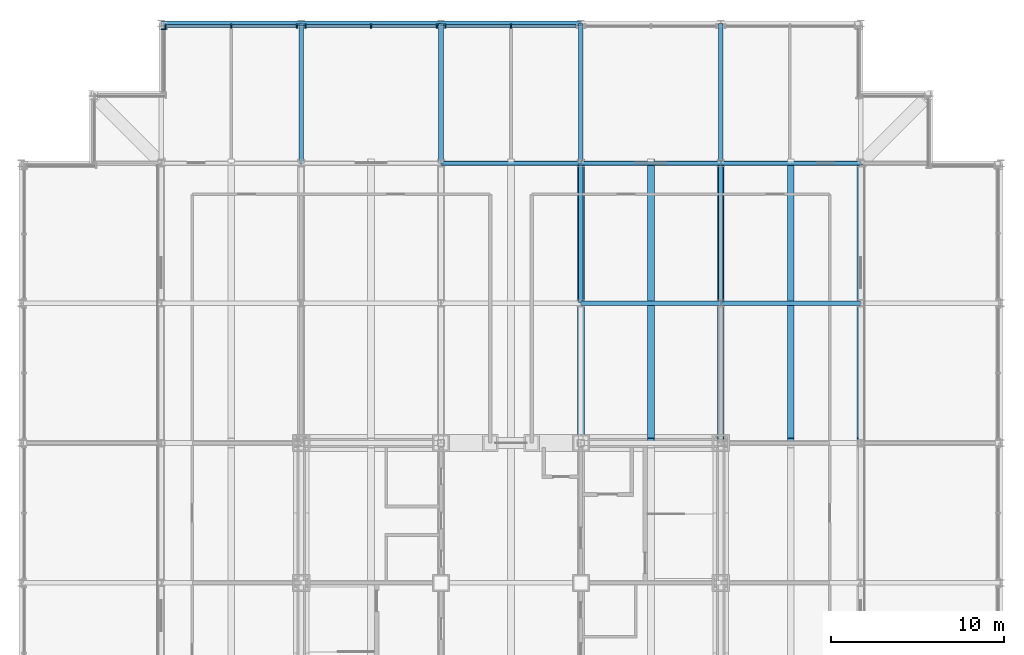
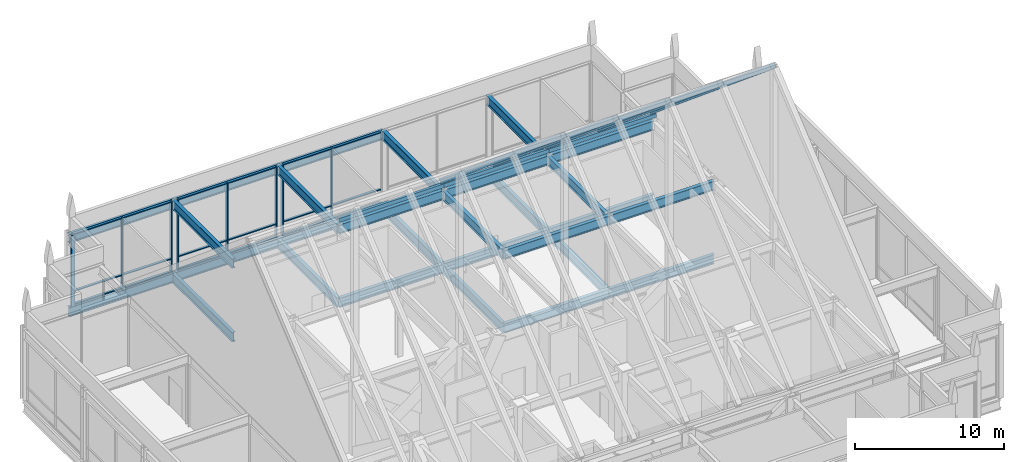
# One storey, part 11 of 22: 36 beams, 27 members, 4 elements without a shape of their own.
"""IFC4 building model written with IfcOpenShell, lengths in metres."""

from ifc_helpers import new_model, si_unit, direction, frame, origin, origin_2d, place, context, subcontext, project, spatial, rectangle, hollow_rectangle, i_section, extrude, material, material_profile, profile_set, type_object, element, aggregate, save


model = new_model("IFC4")

# Units and contexts
model_context = context("Model", 3, precision=1e-05, world=origin(), true_north=direction((0.0, 1.0)))
body_context = subcontext(model_context, "Body", "Model", "MODEL_VIEW")
ifc_project = project(units=[si_unit("LENGTHUNIT", "METRE"), si_unit("AREAUNIT", "SQUARE_METRE"), si_unit("VOLUMEUNIT", "CUBIC_METRE"), si_unit("PLANEANGLEUNIT", "RADIAN"), si_unit("MASSUNIT", "GRAM", prefix="KILO")], contexts=[model_context])

# Site, building, storey
site_placement = place(None, origin())
site = spatial("IfcSite", under=ifc_project, at=site_placement, CompositionType="ELEMENT")
building_placement = place(site_placement, origin())
building = spatial("IfcBuilding", under=site, at=building_placement, Name="Kopane Lantern Tower", CompositionType="ELEMENT")
storey_placement = place(building_placement, frame((0.0, 0.0, 303.89990234375)))
storey = spatial("IfcBuildingStorey", under=building, at=storey_placement, Name="L77", CompositionType="ELEMENT", Elevation=303.89990234375)

# Beams
ifc_material_1 = material(Name="Steel S355JR", Category="steel")
ifc_material_profile_1 = material_profile(ifc_material_1, i_section(OverallWidth=0.2666015625, OverallDepth=0.76220703125, WebThickness=0.014404296875, FlangeThickness=0.021484375, FilletRadius=0.0166015625, at=origin_2d()), Name="UB 762x267x173")
ifc_profile_set_1 = profile_set([ifc_material_profile_1], Name="Steel S355JR")
beam_type_1 = type_object("IfcBeamType", Name="GIRDER UB 762x267x173", PredefinedType="BEAM", material=ifc_profile_set_1)
beam_1_placement = place(storey_placement, frame((8.10009765625, 64.800048828125, -0.591064453125), z_axis=(1.0, 0.0, 0.0), x_axis=(0.0, 1.0, 0.0)))
element("IfcBeam", 1, at=beam_1_placement, inside=storey, type_object=beam_type_1, Name="Girder L77", PredefinedType="BEAM", context=body_context, shape_type="SweptSolid", body=[
    extrude(i_section(OverallWidth=0.2666015625, OverallDepth=0.76220703125, WebThickness=0.014404296875, FlangeThickness=0.021484375, FilletRadius=0.0166015625, at=origin_2d()), origin(), (0.0, 0.0, 1.0), 8.099853515625),
])
for number, where, z_axis, x_axis, name in (
    (2, (16.199951171875, 56.699951171875, -0.591064453125), (0.0, 1.0, 0.0), (-1.0, 0.0, 0.0), "Girder L77"),
    (3, (16.199951171875, 64.800048828125, -0.591064453125), (1.0, 0.0, 0.0), (0.0, 1.0, 0.0), "Girder L77"),
    (4, (24.300048828125, 56.699951171875, -0.591064453125), (0.0, 1.0, 0.0), (-1.0, 0.0, 0.0), "Girder L77"),
):
    element("IfcBeam", number, at=place(storey_placement, frame(where, z_axis=z_axis, x_axis=x_axis)), inside=storey, type_object=beam_type_1, Name=name, PredefinedType="BEAM", context=body_context, shape_type="SweptSolid", body=[
        extrude(i_section(OverallWidth=0.2666015625, OverallDepth=0.76220703125, WebThickness=0.014404296875, FlangeThickness=0.021484375, FilletRadius=0.0166015625, at=origin_2d()), origin(), (0.0, 0.0, 1.0), 8.10009765625),
    ])
for number, where, z_axis, x_axis, name in (
    (5, (24.300048828125, 56.699951171875, -0.591064453125), (1.0, 0.0, 0.0), (0.0, 1.0, 0.0), "Girder L77"),
    (6, (24.300048828125, 64.800048828125, -0.591064453125), (1.0, 0.0, 0.0), (0.0, 1.0, 0.0), "Girder L77"),
    (7, (32.39990234375, 48.60009765625, -0.591064453125), (0.0, 1.0, 0.0), (-1.0, 0.0, 0.0), "Girder L77"),
):
    element("IfcBeam", number, at=place(storey_placement, frame(where, z_axis=z_axis, x_axis=x_axis)), inside=storey, type_object=beam_type_1, Name=name, PredefinedType="BEAM", context=body_context, shape_type="SweptSolid", body=[
        extrude(i_section(OverallWidth=0.2666015625, OverallDepth=0.76220703125, WebThickness=0.014404296875, FlangeThickness=0.021484375, FilletRadius=0.0166015625, at=origin_2d()), origin(), (0.0, 0.0, 1.0), 8.099853515625),
    ])
for number, where, z_axis, x_axis, name in (
    (8, (32.39990234375, 48.60009765625, -0.591064453125), (1.0, 0.0, 0.0), (0.0, 1.0, 0.0), "Girder L77"),
    (9, (32.39990234375, 56.699951171875, -0.591064453125), (0.0, 1.0, 0.0), (-1.0, 0.0, 0.0), "Girder L77"),
    (10, (32.39990234375, 56.699951171875, -0.591064453125), (1.0, 0.0, 0.0), (0.0, 1.0, 0.0), "Girder L77"),
):
    element("IfcBeam", number, at=place(storey_placement, frame(where, z_axis=z_axis, x_axis=x_axis)), inside=storey, type_object=beam_type_1, Name=name, PredefinedType="BEAM", context=body_context, shape_type="SweptSolid", body=[
        extrude(i_section(OverallWidth=0.2666015625, OverallDepth=0.76220703125, WebThickness=0.014404296875, FlangeThickness=0.021484375, FilletRadius=0.0166015625, at=origin_2d()), origin(), (0.0, 0.0, 1.0), 8.10009765625),
    ])
beam_2_placement = place(storey_placement, frame((40.5, 48.60009765625, -0.591064453125), z_axis=(0.0, 1.0, 0.0), x_axis=(-1.0, 0.0, 0.0)))
element("IfcBeam", 11, at=beam_2_placement, inside=storey, type_object=beam_type_1, Name="Girder L77", PredefinedType="BEAM", context=body_context, shape_type="SweptSolid", body=[
    extrude(i_section(OverallWidth=0.2666015625, OverallDepth=0.76220703125, WebThickness=0.014404296875, FlangeThickness=0.021484375, FilletRadius=0.0166015625, at=origin_2d()), origin(), (0.0, 0.0, 1.0), 8.099853515625),
])
for number, where, z_axis, x_axis, name in (
    (12, (40.5, 48.60009765625, -0.591064453125), (1.0, 0.0, 0.0), (0.0, 1.0, 0.0), "Girder L77"),
    (13, (40.5, 56.699951171875, -0.591064453125), (0.0, 1.0, 0.0), (-1.0, 0.0, 0.0), "Girder L77"),
    (14, (40.5, 56.699951171875, -0.591064453125), (1.0, 0.0, 0.0), (0.0, 1.0, 0.0), "Girder L77"),
):
    element("IfcBeam", number, at=place(storey_placement, frame(where, z_axis=z_axis, x_axis=x_axis)), inside=storey, type_object=beam_type_1, Name=name, PredefinedType="BEAM", context=body_context, shape_type="SweptSolid", body=[
        extrude(i_section(OverallWidth=0.2666015625, OverallDepth=0.76220703125, WebThickness=0.014404296875, FlangeThickness=0.021484375, FilletRadius=0.0166015625, at=origin_2d()), origin(), (0.0, 0.0, 1.0), 8.10009765625),
    ])
ifc_material_2 = material(Name="Steel S355JR", Category="steel")
ifc_material_profile_2 = material_profile(ifc_material_2, hollow_rectangle(XDim=0.39990234375, YDim=0.39990234375, WallThickness=0.01611328125, at=origin_2d()), Name="RHS 400x400x16")
ifc_profile_set_2 = profile_set([ifc_material_profile_2], Name="Steel S355JR")
beam_type_2 = type_object("IfcBeamType", Name="LANTERN RAFTER SHS 400x400x16", PredefinedType="USERDEFINED", material=ifc_profile_set_2)
for number, where, z_axis, x_axis, name in (
    (15, (32.39990234375, 56.827880859375, 6.45361328125), (0.0, -0.768220329338, 0.640185539974), (1.0, 0.0, 0.0), "Lantern rafter N"),
    (16, (36.449951171875, 56.827880859375, 6.45361328125), (0.0, -0.768220329338, 0.640185539974), (1.0, 0.0, 0.0), "Lantern rafter N"),
    (17, (40.5, 56.827880859375, 6.45361328125), (0.0, -0.768220329338, 0.640185539974), (1.0, 0.0, 0.0), "Lantern rafter N"),
    (18, (44.550048828125, 56.827880859375, 6.45361328125), (0.0, -0.768220329338, 0.640185539974), (1.0, 0.0, 0.0), "Lantern rafter N"),
    (19, (48.60009765625, 56.827880859375, 6.45361328125), (0.0, -0.768220329338, 0.640185539974), (1.0, 0.0, 0.0), "Lantern rafter N"),
):
    element("IfcBeam", number, at=place(storey_placement, frame(where, z_axis=z_axis, x_axis=x_axis)), inside=storey, type_object=beam_type_2, Name=name, ObjectType="RAFTER", PredefinedType="USERDEFINED", context=body_context, shape_type="SweptSolid", body=[
        extrude(hollow_rectangle(XDim=0.39990234375, YDim=0.39990234375, WallThickness=0.01611328125, at=origin_2d()), origin(), (0.0, 0.0, 1.0), 21.05908203125),
    ])
ifc_material_3 = material(Name="Steel S355JR", Category="steel")
ifc_material_profile_3 = material_profile(ifc_material_3, hollow_rectangle(XDim=0.199951171875, YDim=0.300048828125, WallThickness=0.010009765625, at=origin_2d()), Name="RHS 300x200x10")
ifc_profile_set_3 = profile_set([ifc_material_profile_3], Name="Steel S355JR")
beam_type_3 = type_object("IfcBeamType", Name="LANTERN SILL BEAM RHS 300x200x10", PredefinedType="BEAM", material=ifc_profile_set_3)
beam_3_placement = place(storey_placement, frame((24.300048828125, 56.699951171875, 6.150146484375), z_axis=(1.0, 0.0, 0.0), x_axis=(0.0, 1.0, 0.0)))
element("IfcBeam", 20, at=beam_3_placement, inside=storey, type_object=beam_type_3, Name="Lantern sill beam N", PredefinedType="BEAM", context=body_context, shape_type="SweptSolid", body=[
    extrude(hollow_rectangle(XDim=0.199951171875, YDim=0.300048828125, WallThickness=0.010009765625, at=origin_2d()), origin(), (0.0, 0.0, 1.0), 8.099853515625),
])
beam_4_placement = place(storey_placement, frame((32.39990234375, 56.699951171875, 6.150146484375), z_axis=(1.0, 0.0, 0.0), x_axis=(0.0, 1.0, 0.0)))
element("IfcBeam", 21, at=beam_4_placement, inside=storey, type_object=beam_type_3, Name="Lantern sill beam N", PredefinedType="BEAM", context=body_context, shape_type="SweptSolid", body=[
    extrude(hollow_rectangle(XDim=0.199951171875, YDim=0.300048828125, WallThickness=0.010009765625, at=origin_2d()), origin(), (0.0, 0.0, 1.0), 8.10009765625),
])
beam_5_placement = place(storey_placement, frame((40.5, 56.699951171875, 6.150146484375), z_axis=(1.0, 0.0, 0.0), x_axis=(0.0, 1.0, 0.0)))
element("IfcBeam", 22, at=beam_5_placement, inside=storey, type_object=beam_type_3, Name="Lantern sill beam N", PredefinedType="BEAM", context=body_context, shape_type="SweptSolid", body=[
    extrude(hollow_rectangle(XDim=0.199951171875, YDim=0.300048828125, WallThickness=0.010009765625, at=origin_2d()), origin(), (0.0, 0.0, 1.0), 8.300048828125),
])

# Curtain wall, members
ifc_material_4 = material(Name="Aluminium and clear glass", Category="aluminium")
curtain_wall_type = type_object("IfcCurtainWallType", Name="CURTAIN WALL CW6 LANTERN CROWN", PredefinedType="USERDEFINED", material=ifc_material_4)
curtain_wall_1_placement = place(storey_placement, origin())
curtain_wall_1 = element("IfcCurtainWall", 23, at=curtain_wall_1_placement, inside=storey, type_object=curtain_wall_type, Name="Curtain wall CW6 N L77", ObjectType="CURTAIN WALL", PredefinedType="USERDEFINED")
ifc_material_5 = material(Name="Aluminium", Category="aluminium")
ifc_material_profile_4 = material_profile(ifc_material_5, rectangle(XDim=0.080078125, YDim=0.280029296875, at=origin_2d()), Name="AL 80x280")
ifc_profile_set_4 = profile_set([ifc_material_profile_4], Name="Aluminium")
member_type_1 = type_object("IfcMemberType", Name="MULLION CW6-M 80x280", PredefinedType="MULLION", material=ifc_profile_set_4)
member_1_placement = place(storey_placement, frame((28.35009765625, 64.64990234375, 0.0), z_axis=(0.0, 0.0, 1.0), x_axis=(-1.0, 0.0, 0.0)))
member_1 = element("IfcMember", 24, at=member_1_placement, type_object=member_type_1, Name="CW6 mullion 2", PredefinedType="MULLION", context=body_context, shape_type="SweptSolid", body=[
    extrude(rectangle(XDim=0.080078125, YDim=0.280029296875, at=origin_2d()), origin(), (0.0, 0.0, 1.0), 5.800048828125),
])
member_2_placement = place(storey_placement, frame((24.54443359375, 64.64990234375, 0.0), z_axis=(0.0, 0.0, 1.0), x_axis=(-1.0, 0.0, 0.0)))
member_2 = element("IfcMember", 25, at=member_2_placement, type_object=member_type_1, Name="CW6 mullion 3", PredefinedType="MULLION", context=body_context, shape_type="SweptSolid", body=[
    extrude(rectangle(XDim=0.080078125, YDim=0.280029296875, at=origin_2d()), origin(), (0.0, 0.0, 1.0), 5.800048828125),
])

curtain_wall_2_placement = place(storey_placement, origin())
curtain_wall_2 = element("IfcCurtainWall", 26, at=curtain_wall_2_placement, inside=storey, type_object=curtain_wall_type, Name="Curtain wall CW6 N L77", ObjectType="CURTAIN WALL", PredefinedType="USERDEFINED")
member_3_placement = place(storey_placement, frame((24.055419921875, 64.64990234375, 0.0), z_axis=(0.0, 0.0, 1.0), x_axis=(-1.0, 0.0, 0.0)))
member_3 = element("IfcMember", 27, at=member_3_placement, type_object=member_type_1, Name="CW6 mullion 1", PredefinedType="MULLION", context=body_context, shape_type="SweptSolid", body=[
    extrude(rectangle(XDim=0.080078125, YDim=0.280029296875, at=origin_2d()), origin(), (0.0, 0.0, 1.0), 5.800048828125),
])
member_4_placement = place(storey_placement, frame((20.25, 64.64990234375, 0.0), z_axis=(0.0, 0.0, 1.0), x_axis=(-1.0, 0.0, 0.0)))
member_4 = element("IfcMember", 28, at=member_4_placement, type_object=member_type_1, Name="CW6 mullion 2", PredefinedType="MULLION", context=body_context, shape_type="SweptSolid", body=[
    extrude(rectangle(XDim=0.080078125, YDim=0.280029296875, at=origin_2d()), origin(), (0.0, 0.0, 1.0), 5.800048828125),
])
member_5_placement = place(storey_placement, frame((16.444580078125, 64.64990234375, 0.0), z_axis=(0.0, 0.0, 1.0), x_axis=(-1.0, 0.0, 0.0)))
member_5 = element("IfcMember", 29, at=member_5_placement, type_object=member_type_1, Name="CW6 mullion 3", PredefinedType="MULLION", context=body_context, shape_type="SweptSolid", body=[
    extrude(rectangle(XDim=0.080078125, YDim=0.280029296875, at=origin_2d()), origin(), (0.0, 0.0, 1.0), 5.800048828125),
])

curtain_wall_3_placement = place(storey_placement, origin())
curtain_wall_3 = element("IfcCurtainWall", 30, at=curtain_wall_3_placement, inside=storey, type_object=curtain_wall_type, Name="Curtain wall CW6 N L77", ObjectType="CURTAIN WALL", PredefinedType="USERDEFINED")
member_6_placement = place(storey_placement, frame((15.95556640625, 64.64990234375, 0.0), z_axis=(0.0, 0.0, 1.0), x_axis=(-1.0, 0.0, 0.0)))
member_6 = element("IfcMember", 31, at=member_6_placement, type_object=member_type_1, Name="CW6 mullion 1", PredefinedType="MULLION", context=body_context, shape_type="SweptSolid", body=[
    extrude(rectangle(XDim=0.080078125, YDim=0.280029296875, at=origin_2d()), origin(), (0.0, 0.0, 1.0), 5.800048828125),
])
member_7_placement = place(storey_placement, frame((12.14990234375, 64.64990234375, 0.0), z_axis=(0.0, 0.0, 1.0), x_axis=(-1.0, 0.0, 0.0)))
member_7 = element("IfcMember", 32, at=member_7_placement, type_object=member_type_1, Name="CW6 mullion 2", PredefinedType="MULLION", context=body_context, shape_type="SweptSolid", body=[
    extrude(rectangle(XDim=0.080078125, YDim=0.280029296875, at=origin_2d()), origin(), (0.0, 0.0, 1.0), 5.800048828125),
])
member_8_placement = place(storey_placement, frame((8.344482421875, 64.64990234375, 0.0), z_axis=(0.0, 0.0, 1.0), x_axis=(-1.0, 0.0, 0.0)))
member_8 = element("IfcMember", 33, at=member_8_placement, type_object=member_type_1, Name="CW6 mullion 3", PredefinedType="MULLION", context=body_context, shape_type="SweptSolid", body=[
    extrude(rectangle(XDim=0.080078125, YDim=0.280029296875, at=origin_2d()), origin(), (0.0, 0.0, 1.0), 5.800048828125),
])

# Curtain wall, member
curtain_wall_4_placement = place(storey_placement, origin())
curtain_wall_4 = element("IfcCurtainWall", 34, at=curtain_wall_4_placement, inside=storey, type_object=curtain_wall_type, Name="Curtain wall CW6 W L77", ObjectType="CURTAIN WALL", PredefinedType="USERDEFINED")
member_9_placement = place(storey_placement, frame((8.25, 64.4599609375, 0.0), z_axis=(0.0, 0.0, 1.0), x_axis=(0.0, -1.0, 0.0)))
member_9 = element("IfcMember", 35, at=member_9_placement, type_object=member_type_1, Name="CW6 mullion 1", PredefinedType="MULLION", context=body_context, shape_type="SweptSolid", body=[
    extrude(rectangle(XDim=0.080078125, YDim=0.280029296875, at=origin_2d()), origin(), (0.0, 0.0, 1.0), 5.800048828125),
])
aggregate(curtain_wall_4, [member_9])

# Beams
ifc_material_6 = material(Name="Steel S355JR", Category="steel")
ifc_material_profile_5 = material_profile(ifc_material_6, i_section(OverallWidth=0.2666015625, OverallDepth=0.76220703125, WebThickness=0.014404296875, FlangeThickness=0.021484375, FilletRadius=0.0166015625, at=origin_2d()), Name="UB 762x267x173")
ifc_profile_set_5 = profile_set([ifc_material_profile_5], Name="Steel S355JR")
beam_type_4 = type_object("IfcBeamType", Name="ROOF GIRDER UB 762x267x173", PredefinedType="BEAM", material=ifc_profile_set_5)
for number, where, z_axis, x_axis, name in (
    (36, (16.199951171875, 56.699951171875, 5.4189453125), (0.0, 1.0, 0.0), (-1.0, 0.0, 0.0), "Roof Girder roof"),
    (37, (24.300048828125, 56.699951171875, 5.4189453125), (0.0, 1.0, 0.0), (-1.0, 0.0, 0.0), "Roof Girder roof"),
):
    element("IfcBeam", number, at=place(storey_placement, frame(where, z_axis=z_axis, x_axis=x_axis)), inside=storey, type_object=beam_type_4, Name=name, PredefinedType="BEAM", context=body_context, shape_type="SweptSolid", body=[
        extrude(i_section(OverallWidth=0.2666015625, OverallDepth=0.76220703125, WebThickness=0.014404296875, FlangeThickness=0.021484375, FilletRadius=0.0166015625, at=origin_2d()), origin(), (0.0, 0.0, 1.0), 8.10009765625),
    ])
beam_6_placement = place(storey_placement, frame((32.39990234375, 48.60009765625, 5.4189453125), z_axis=(0.0, 1.0, 0.0), x_axis=(-1.0, 0.0, 0.0)))
element("IfcBeam", 38, at=beam_6_placement, inside=storey, type_object=beam_type_4, Name="Roof Girder roof", PredefinedType="BEAM", context=body_context, shape_type="SweptSolid", body=[
    extrude(i_section(OverallWidth=0.2666015625, OverallDepth=0.76220703125, WebThickness=0.014404296875, FlangeThickness=0.021484375, FilletRadius=0.0166015625, at=origin_2d()), origin(), (0.0, 0.0, 1.0), 8.099853515625),
])
beam_7_placement = place(storey_placement, frame((32.39990234375, 56.699951171875, 5.4189453125), z_axis=(0.0, 1.0, 0.0), x_axis=(-1.0, 0.0, 0.0)))
element("IfcBeam", 39, at=beam_7_placement, inside=storey, type_object=beam_type_4, Name="Roof Girder roof", PredefinedType="BEAM", context=body_context, shape_type="SweptSolid", body=[
    extrude(i_section(OverallWidth=0.2666015625, OverallDepth=0.76220703125, WebThickness=0.014404296875, FlangeThickness=0.021484375, FilletRadius=0.0166015625, at=origin_2d()), origin(), (0.0, 0.0, 1.0), 8.10009765625),
])
beam_8_placement = place(storey_placement, frame((40.5, 48.60009765625, 5.4189453125), z_axis=(0.0, 1.0, 0.0), x_axis=(-1.0, 0.0, 0.0)))
element("IfcBeam", 40, at=beam_8_placement, inside=storey, type_object=beam_type_4, Name="Roof Girder roof", PredefinedType="BEAM", context=body_context, shape_type="SweptSolid", body=[
    extrude(i_section(OverallWidth=0.2666015625, OverallDepth=0.76220703125, WebThickness=0.014404296875, FlangeThickness=0.021484375, FilletRadius=0.0166015625, at=origin_2d()), origin(), (0.0, 0.0, 1.0), 8.099853515625),
])
for number, where, z_axis, x_axis, name in (
    (41, (40.5, 56.699951171875, 5.4189453125), (0.0, 1.0, 0.0), (-1.0, 0.0, 0.0), "Roof Girder roof"),
    (42, (32.39990234375, 48.60009765625, 5.4189453125), (1.0, 0.0, 0.0), (0.0, 1.0, 0.0), "Roof Girder roof"),
    (43, (40.5, 48.60009765625, 5.4189453125), (1.0, 0.0, 0.0), (0.0, 1.0, 0.0), "Roof Girder roof"),
):
    element("IfcBeam", number, at=place(storey_placement, frame(where, z_axis=z_axis, x_axis=x_axis)), inside=storey, type_object=beam_type_4, Name=name, PredefinedType="BEAM", context=body_context, shape_type="SweptSolid", body=[
        extrude(i_section(OverallWidth=0.2666015625, OverallDepth=0.76220703125, WebThickness=0.014404296875, FlangeThickness=0.021484375, FilletRadius=0.0166015625, at=origin_2d()), origin(), (0.0, 0.0, 1.0), 8.10009765625),
    ])
beam_9_placement = place(storey_placement, frame((24.300048828125, 56.699951171875, 5.4189453125), z_axis=(1.0, 0.0, 0.0), x_axis=(0.0, 1.0, 0.0)))
element("IfcBeam", 44, at=beam_9_placement, inside=storey, type_object=beam_type_4, Name="Roof Girder roof", PredefinedType="BEAM", context=body_context, shape_type="SweptSolid", body=[
    extrude(i_section(OverallWidth=0.2666015625, OverallDepth=0.76220703125, WebThickness=0.014404296875, FlangeThickness=0.021484375, FilletRadius=0.0166015625, at=origin_2d()), origin(), (0.0, 0.0, 1.0), 8.099853515625),
])
for number, where, z_axis, x_axis, name in (
    (45, (32.39990234375, 56.699951171875, 5.4189453125), (1.0, 0.0, 0.0), (0.0, 1.0, 0.0), "Roof Girder roof"),
    (46, (40.5, 56.699951171875, 5.4189453125), (1.0, 0.0, 0.0), (0.0, 1.0, 0.0), "Roof Girder roof"),
):
    element("IfcBeam", number, at=place(storey_placement, frame(where, z_axis=z_axis, x_axis=x_axis)), inside=storey, type_object=beam_type_4, Name=name, PredefinedType="BEAM", context=body_context, shape_type="SweptSolid", body=[
        extrude(i_section(OverallWidth=0.2666015625, OverallDepth=0.76220703125, WebThickness=0.014404296875, FlangeThickness=0.021484375, FilletRadius=0.0166015625, at=origin_2d()), origin(), (0.0, 0.0, 1.0), 8.10009765625),
    ])
beam_10_placement = place(storey_placement, frame((8.10009765625, 64.800048828125, 5.4189453125), z_axis=(1.0, 0.0, 0.0), x_axis=(0.0, 1.0, 0.0)))
element("IfcBeam", 47, at=beam_10_placement, inside=storey, type_object=beam_type_4, Name="Roof Girder roof", PredefinedType="BEAM", context=body_context, shape_type="SweptSolid", body=[
    extrude(i_section(OverallWidth=0.2666015625, OverallDepth=0.76220703125, WebThickness=0.014404296875, FlangeThickness=0.021484375, FilletRadius=0.0166015625, at=origin_2d()), origin(), (0.0, 0.0, 1.0), 8.099853515625),
])
beam_11_placement = place(storey_placement, frame((16.199951171875, 64.800048828125, 5.4189453125), z_axis=(1.0, 0.0, 0.0), x_axis=(0.0, 1.0, 0.0)))
element("IfcBeam", 48, at=beam_11_placement, inside=storey, type_object=beam_type_4, Name="Roof Girder roof", PredefinedType="BEAM", context=body_context, shape_type="SweptSolid", body=[
    extrude(i_section(OverallWidth=0.2666015625, OverallDepth=0.76220703125, WebThickness=0.014404296875, FlangeThickness=0.021484375, FilletRadius=0.0166015625, at=origin_2d()), origin(), (0.0, 0.0, 1.0), 8.10009765625),
])
beam_12_placement = place(storey_placement, frame((24.300048828125, 64.800048828125, 5.4189453125), z_axis=(1.0, 0.0, 0.0), x_axis=(0.0, 1.0, 0.0)))
element("IfcBeam", 49, at=beam_12_placement, inside=storey, type_object=beam_type_4, Name="Roof Girder roof", PredefinedType="BEAM", context=body_context, shape_type="SweptSolid", body=[
    extrude(i_section(OverallWidth=0.2666015625, OverallDepth=0.76220703125, WebThickness=0.014404296875, FlangeThickness=0.021484375, FilletRadius=0.0166015625, at=origin_2d()), origin(), (0.0, 0.0, 1.0), 8.099853515625),
])

# Member
ifc_material_7 = material(Name="Aluminium", Category="aluminium")
ifc_material_profile_6 = material_profile(ifc_material_7, rectangle(XDim=0.18994140625, YDim=0.080078125, at=origin_2d()), Name="AL 190x80")
ifc_profile_set_6 = profile_set([ifc_material_profile_6], Name="Aluminium")
member_type_2 = type_object("IfcMemberType", Name="TRANSOM CW6-T 80x190", PredefinedType="USERDEFINED", material=ifc_profile_set_6)
member_10_placement = place(storey_placement, frame((32.115478515625, 64.64990234375, 0.0400390625), z_axis=(-1.0, 0.0, 0.0), x_axis=(0.0, -1.0, 0.0)))
member_10 = element("IfcMember", 50, at=member_10_placement, type_object=member_type_2, Name="CW6 transom 1.1", ObjectType="TRANSOM", PredefinedType="USERDEFINED", context=body_context, shape_type="SweptSolid", body=[
    extrude(rectangle(XDim=0.18994140625, YDim=0.080078125, at=origin_2d()), origin(), (0.0, 0.0, 1.0), 3.7255859375),
])

member_11_placement = place(storey_placement, frame((32.115478515625, 64.64990234375, 1.10009765625), z_axis=(-1.0, 0.0, 0.0), x_axis=(0.0, -1.0, 0.0)))
member_11 = element("IfcMember", 51, at=member_11_placement, type_object=member_type_2, Name="CW6 transom 1.2", ObjectType="TRANSOM", PredefinedType="USERDEFINED", context=body_context, shape_type="SweptSolid", body=[
    extrude(rectangle(XDim=0.18994140625, YDim=0.080078125, at=origin_2d()), origin(), (0.0, 0.0, 1.0), 3.7255859375),
])

member_12_placement = place(storey_placement, frame((32.115478515625, 64.64990234375, 5.760009765625), z_axis=(-1.0, 0.0, 0.0), x_axis=(0.0, -1.0, 0.0)))
member_12 = element("IfcMember", 52, at=member_12_placement, type_object=member_type_2, Name="CW6 transom 1.3", ObjectType="TRANSOM", PredefinedType="USERDEFINED", context=body_context, shape_type="SweptSolid", body=[
    extrude(rectangle(XDim=0.18994140625, YDim=0.080078125, at=origin_2d()), origin(), (0.0, 0.0, 1.0), 3.7255859375),
])

member_13_placement = place(storey_placement, frame((28.31005859375, 64.64990234375, 0.0400390625), z_axis=(-1.0, 0.0, 0.0), x_axis=(0.0, -1.0, 0.0)))
member_13 = element("IfcMember", 53, at=member_13_placement, type_object=member_type_2, Name="CW6 transom 2.1", ObjectType="TRANSOM", PredefinedType="USERDEFINED", context=body_context, shape_type="SweptSolid", body=[
    extrude(rectangle(XDim=0.18994140625, YDim=0.080078125, at=origin_2d()), origin(), (0.0, 0.0, 1.0), 3.7255859375),
])

member_14_placement = place(storey_placement, frame((28.31005859375, 64.64990234375, 1.10009765625), z_axis=(-1.0, 0.0, 0.0), x_axis=(0.0, -1.0, 0.0)))
member_14 = element("IfcMember", 54, at=member_14_placement, type_object=member_type_2, Name="CW6 transom 2.2", ObjectType="TRANSOM", PredefinedType="USERDEFINED", context=body_context, shape_type="SweptSolid", body=[
    extrude(rectangle(XDim=0.18994140625, YDim=0.080078125, at=origin_2d()), origin(), (0.0, 0.0, 1.0), 3.7255859375),
])

member_15_placement = place(storey_placement, frame((28.31005859375, 64.64990234375, 5.760009765625), z_axis=(-1.0, 0.0, 0.0), x_axis=(0.0, -1.0, 0.0)))
member_15 = element("IfcMember", 55, at=member_15_placement, type_object=member_type_2, Name="CW6 transom 2.3", ObjectType="TRANSOM", PredefinedType="USERDEFINED", context=body_context, shape_type="SweptSolid", body=[
    extrude(rectangle(XDim=0.18994140625, YDim=0.080078125, at=origin_2d()), origin(), (0.0, 0.0, 1.0), 3.7255859375),
])

aggregate(curtain_wall_1, [member_1, member_2, member_10, member_11, member_12, member_13, member_14, member_15])

member_16_placement = place(storey_placement, frame((24.015380859375, 64.64990234375, 0.0400390625), z_axis=(-1.0, 0.0, 0.0), x_axis=(0.0, -1.0, 0.0)))
member_16 = element("IfcMember", 56, at=member_16_placement, type_object=member_type_2, Name="CW6 transom 1.1", ObjectType="TRANSOM", PredefinedType="USERDEFINED", context=body_context, shape_type="SweptSolid", body=[
    extrude(rectangle(XDim=0.18994140625, YDim=0.080078125, at=origin_2d()), origin(), (0.0, 0.0, 1.0), 3.725341796875),
])

member_17_placement = place(storey_placement, frame((24.015380859375, 64.64990234375, 1.10009765625), z_axis=(-1.0, 0.0, 0.0), x_axis=(0.0, -1.0, 0.0)))
member_17 = element("IfcMember", 57, at=member_17_placement, type_object=member_type_2, Name="CW6 transom 1.2", ObjectType="TRANSOM", PredefinedType="USERDEFINED", context=body_context, shape_type="SweptSolid", body=[
    extrude(rectangle(XDim=0.18994140625, YDim=0.080078125, at=origin_2d()), origin(), (0.0, 0.0, 1.0), 3.725341796875),
])

member_18_placement = place(storey_placement, frame((24.015380859375, 64.64990234375, 5.760009765625), z_axis=(-1.0, 0.0, 0.0), x_axis=(0.0, -1.0, 0.0)))
member_18 = element("IfcMember", 58, at=member_18_placement, type_object=member_type_2, Name="CW6 transom 1.3", ObjectType="TRANSOM", PredefinedType="USERDEFINED", context=body_context, shape_type="SweptSolid", body=[
    extrude(rectangle(XDim=0.18994140625, YDim=0.080078125, at=origin_2d()), origin(), (0.0, 0.0, 1.0), 3.725341796875),
])

member_19_placement = place(storey_placement, frame((20.2099609375, 64.64990234375, 0.0400390625), z_axis=(-1.0, 0.0, 0.0), x_axis=(0.0, -1.0, 0.0)))
member_19 = element("IfcMember", 59, at=member_19_placement, type_object=member_type_2, Name="CW6 transom 2.1", ObjectType="TRANSOM", PredefinedType="USERDEFINED", context=body_context, shape_type="SweptSolid", body=[
    extrude(rectangle(XDim=0.18994140625, YDim=0.080078125, at=origin_2d()), origin(), (0.0, 0.0, 1.0), 3.725341796875),
])

member_20_placement = place(storey_placement, frame((20.2099609375, 64.64990234375, 1.10009765625), z_axis=(-1.0, 0.0, 0.0), x_axis=(0.0, -1.0, 0.0)))
member_20 = element("IfcMember", 60, at=member_20_placement, type_object=member_type_2, Name="CW6 transom 2.2", ObjectType="TRANSOM", PredefinedType="USERDEFINED", context=body_context, shape_type="SweptSolid", body=[
    extrude(rectangle(XDim=0.18994140625, YDim=0.080078125, at=origin_2d()), origin(), (0.0, 0.0, 1.0), 3.725341796875),
])

member_21_placement = place(storey_placement, frame((20.2099609375, 64.64990234375, 5.760009765625), z_axis=(-1.0, 0.0, 0.0), x_axis=(0.0, -1.0, 0.0)))
member_21 = element("IfcMember", 61, at=member_21_placement, type_object=member_type_2, Name="CW6 transom 2.3", ObjectType="TRANSOM", PredefinedType="USERDEFINED", context=body_context, shape_type="SweptSolid", body=[
    extrude(rectangle(XDim=0.18994140625, YDim=0.080078125, at=origin_2d()), origin(), (0.0, 0.0, 1.0), 3.725341796875),
])

aggregate(curtain_wall_2, [member_3, member_4, member_5, member_16, member_17, member_18, member_19, member_20, member_21])

member_22_placement = place(storey_placement, frame((15.91552734375, 64.64990234375, 0.0400390625), z_axis=(-1.0, 0.0, 0.0), x_axis=(0.0, -1.0, 0.0)))
member_22 = element("IfcMember", 62, at=member_22_placement, type_object=member_type_2, Name="CW6 transom 1.1", ObjectType="TRANSOM", PredefinedType="USERDEFINED", context=body_context, shape_type="SweptSolid", body=[
    extrude(rectangle(XDim=0.18994140625, YDim=0.080078125, at=origin_2d()), origin(), (0.0, 0.0, 1.0), 3.7255859375),
])

member_23_placement = place(storey_placement, frame((15.91552734375, 64.64990234375, 1.10009765625), z_axis=(-1.0, 0.0, 0.0), x_axis=(0.0, -1.0, 0.0)))
member_23 = element("IfcMember", 63, at=member_23_placement, type_object=member_type_2, Name="CW6 transom 1.2", ObjectType="TRANSOM", PredefinedType="USERDEFINED", context=body_context, shape_type="SweptSolid", body=[
    extrude(rectangle(XDim=0.18994140625, YDim=0.080078125, at=origin_2d()), origin(), (0.0, 0.0, 1.0), 3.7255859375),
])

member_24_placement = place(storey_placement, frame((15.91552734375, 64.64990234375, 5.760009765625), z_axis=(-1.0, 0.0, 0.0), x_axis=(0.0, -1.0, 0.0)))
member_24 = element("IfcMember", 64, at=member_24_placement, type_object=member_type_2, Name="CW6 transom 1.3", ObjectType="TRANSOM", PredefinedType="USERDEFINED", context=body_context, shape_type="SweptSolid", body=[
    extrude(rectangle(XDim=0.18994140625, YDim=0.080078125, at=origin_2d()), origin(), (0.0, 0.0, 1.0), 3.7255859375),
])

member_25_placement = place(storey_placement, frame((12.110107421875, 64.64990234375, 0.0400390625), z_axis=(-1.0, 0.0, 0.0), x_axis=(0.0, -1.0, 0.0)))
member_25 = element("IfcMember", 65, at=member_25_placement, type_object=member_type_2, Name="CW6 transom 2.1", ObjectType="TRANSOM", PredefinedType="USERDEFINED", context=body_context, shape_type="SweptSolid", body=[
    extrude(rectangle(XDim=0.18994140625, YDim=0.080078125, at=origin_2d()), origin(), (0.0, 0.0, 1.0), 3.7255859375),
])

member_26_placement = place(storey_placement, frame((12.110107421875, 64.64990234375, 1.10009765625), z_axis=(-1.0, 0.0, 0.0), x_axis=(0.0, -1.0, 0.0)))
member_26 = element("IfcMember", 66, at=member_26_placement, type_object=member_type_2, Name="CW6 transom 2.2", ObjectType="TRANSOM", PredefinedType="USERDEFINED", context=body_context, shape_type="SweptSolid", body=[
    extrude(rectangle(XDim=0.18994140625, YDim=0.080078125, at=origin_2d()), origin(), (0.0, 0.0, 1.0), 3.7255859375),
])

member_27_placement = place(storey_placement, frame((12.110107421875, 64.64990234375, 5.760009765625), z_axis=(-1.0, 0.0, 0.0), x_axis=(0.0, -1.0, 0.0)))
member_27 = element("IfcMember", 67, at=member_27_placement, type_object=member_type_2, Name="CW6 transom 2.3", ObjectType="TRANSOM", PredefinedType="USERDEFINED", context=body_context, shape_type="SweptSolid", body=[
    extrude(rectangle(XDim=0.18994140625, YDim=0.080078125, at=origin_2d()), origin(), (0.0, 0.0, 1.0), 3.7255859375),
])

aggregate(curtain_wall_3, [member_6, member_7, member_8, member_22, member_23, member_24, member_25, member_26, member_27])

save(model, "model.ifc")
